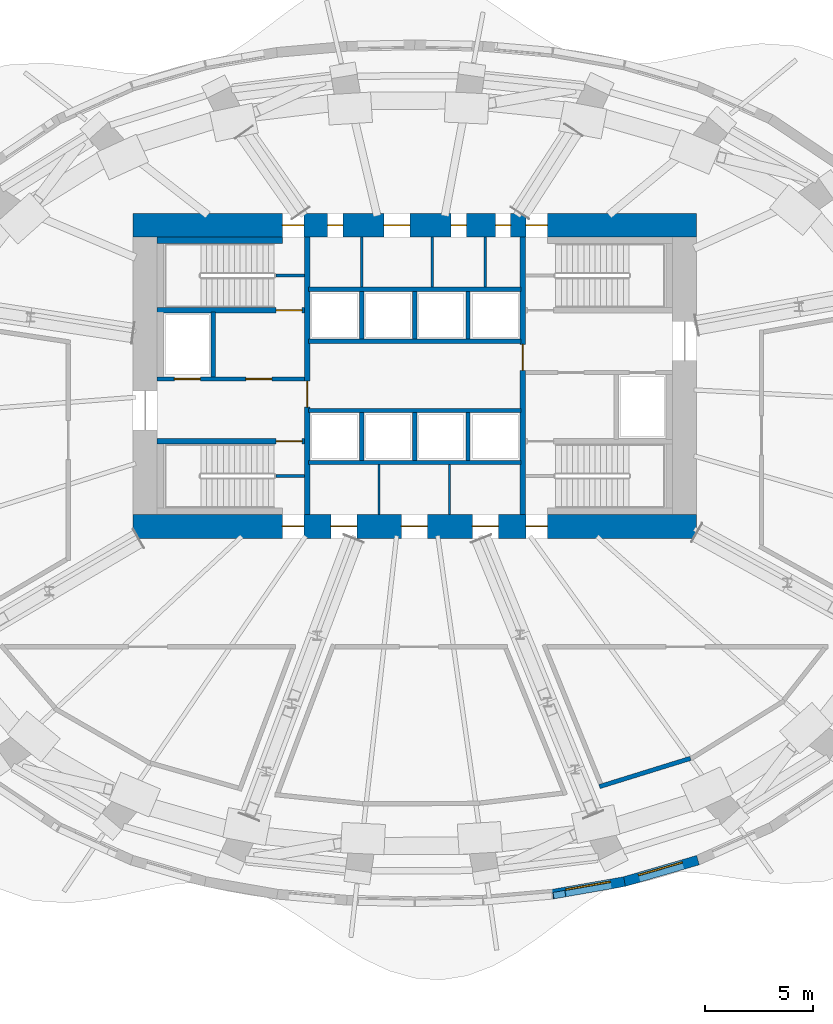
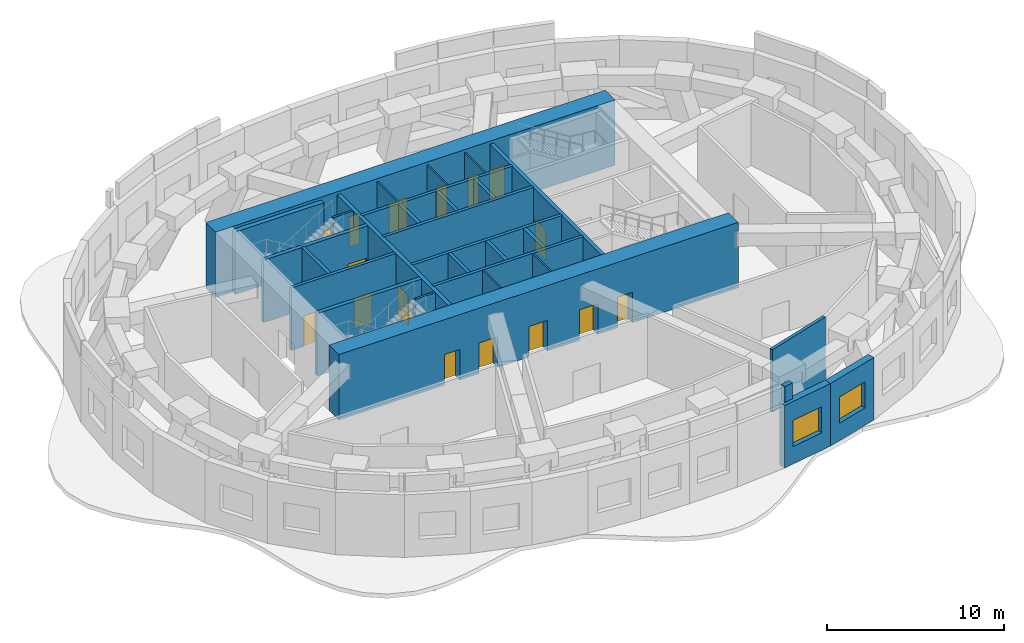
# One storey, part 7 of 11: 30 walls, 17 doors, 2 windows, 19 openings.
"""IFC4 building model written with IfcOpenShell, lengths in metres."""

from ifc_helpers import new_model, si_unit, direction, frame, frame_2d, origin, place, context, subcontext, project, spatial, rectangle, extrude, material, layer, layer_set, type_object, element, fill, save


model = new_model("IFC4")

# Units and contexts
model_context = context("Model", 3, precision=1e-05, world=origin(), true_north=direction((0.0, 1.0)))
body_context = subcontext(model_context, "Body", "Model", "MODEL_VIEW")
ifc_project = project(units=[si_unit("LENGTHUNIT", "METRE"), si_unit("AREAUNIT", "SQUARE_METRE"), si_unit("VOLUMEUNIT", "CUBIC_METRE"), si_unit("PLANEANGLEUNIT", "RADIAN"), si_unit("MASSUNIT", "GRAM", prefix="KILO")], contexts=[model_context])

# Site, building, storey
site_placement = place(None, origin())
site = spatial("IfcSite", under=ifc_project, at=site_placement, CompositionType="ELEMENT")
building_placement = place(site_placement, origin())
building = spatial("IfcBuilding", under=site, at=building_placement, Name="Rubra Terraces Tower", CompositionType="ELEMENT")
storey_placement = place(building_placement, frame((0.0, 0.0, 121.199951171875)))
storey = spatial("IfcBuildingStorey", under=building, at=storey_placement, Name="L29", CompositionType="ELEMENT", Elevation=121.199951171875)

# Wall, opening, window
ifc_material_1 = material(Name="Brick masonry red-brown", Category="masonry")
ifc_layer_1 = layer(ifc_material_1, 0.449951171875)
ifc_layer_set_1 = layer_set([ifc_layer_1], Name="Brick masonry red-brown")
wall_type_1 = type_object("IfcWallType", Name="Brick facade wall 450", PredefinedType="SOLIDWALL", material=ifc_layer_set_1)
wall_1_placement = place(storey_placement, frame((6.34619140625, -19.430419921875, 0.0), z_axis=(0.0, 0.0, 1.0), x_axis=(0.984975558514, 0.172693801654, 0.0)))
wall_1 = element("IfcWall", 1, at=wall_1_placement, inside=storey, type_object=wall_type_1, Name="Facade wall L29 bay 33", PredefinedType="SOLIDWALL", context=body_context, shape_type="SweptSolid", body=[
    extrude(rectangle(XDim=3.381591796875, YDim=0.449951171875, at=frame_2d((1.69091796875, 0.0))), origin(), (0.0, 0.0, 1.0), 4.300048828125),
])
opening_1_placement = place(wall_1_placement, frame((0.640869140625, 0.0, 1.199951171875)))
opening_1 = element("IfcOpeningElement", 2, at=opening_1_placement, cuts=wall_1, Name="Opening W4", PredefinedType="OPENING", context=body_context, shape_type="SweptSolid", body=[
    extrude(rectangle(XDim=2.10009765625, YDim=1.800048828125, at=frame_2d((1.050048828125, 0.89990234375))), frame((0.0, 0.23486328125, 0.0), z_axis=(0.0, -1.0, 0.0), x_axis=(1.0, 0.0, 0.0)), (0.0, 0.0, 1.0), 0.469970703125),
])
ifc_material_2 = material(Name="Clear glass in aluminium frame", Category="aluminium")
window_type = type_object("IfcWindowType", Name="Louvred plant window 2100 x 1800", PartitioningType="SINGLE_PANEL", PredefinedType="WINDOW", material=ifc_material_2)
window_1_placement = place(opening_1_placement, origin())
window_1 = element("IfcWindow", 3, at=window_1_placement, inside=storey, type_object=window_type, Name="Window L29 bay 33", OverallHeight=1.800048828125, OverallWidth=2.10009765625, PartitioningType="SINGLE_PANEL", PredefinedType="WINDOW", context=body_context, shape_type="SweptSolid", body=[
    extrude(rectangle(XDim=2.10009765625, YDim=1.800048828125, at=frame_2d((1.050048828125, 0.89990234375))), frame((0.0, 0.135009765625, 0.0), z_axis=(0.0, -1.0, 0.0), x_axis=(1.0, 0.0, 0.0)), (0.0, 0.0, 1.0), 0.06005859375),
])
fill(opening_1, window_1)

wall_2_placement = place(storey_placement, frame((9.653076171875, -18.85205078125, 0.0), z_axis=(0.0, 0.0, 1.0), x_axis=(0.96014440171, 0.27950443264, 0.0)))
wall_2 = element("IfcWall", 4, at=wall_2_placement, inside=storey, type_object=wall_type_1, Name="Facade wall L29 bay 34", PredefinedType="SOLIDWALL", context=body_context, shape_type="SweptSolid", body=[
    extrude(rectangle(XDim=3.556884765625, YDim=0.449951171875, at=frame_2d((1.7783203125, 0.0))), origin(), (0.0, 0.0, 1.0), 4.300048828125),
])
opening_2_placement = place(wall_2_placement, frame((0.728515625, 0.0, 1.199951171875)))
opening_2 = element("IfcOpeningElement", 5, at=opening_2_placement, cuts=wall_2, Name="Opening W4", PredefinedType="OPENING", context=body_context, shape_type="SweptSolid", body=[
    extrude(rectangle(XDim=2.10009765625, YDim=1.800048828125, at=frame_2d((1.050048828125, 0.89990234375))), frame((0.0, 0.23486328125, 0.0), z_axis=(0.0, -1.0, 0.0), x_axis=(1.0, 0.0, 0.0)), (0.0, 0.0, 1.0), 0.469970703125),
])
window_2_placement = place(opening_2_placement, origin())
window_2 = element("IfcWindow", 6, at=window_2_placement, inside=storey, type_object=window_type, Name="Window L29 bay 34", OverallHeight=1.800048828125, OverallWidth=2.10009765625, PartitioningType="SINGLE_PANEL", PredefinedType="WINDOW", context=body_context, shape_type="SweptSolid", body=[
    extrude(rectangle(XDim=2.10009765625, YDim=1.800048828125, at=frame_2d((1.050048828125, 0.89990234375))), frame((0.0, 0.135009765625, 0.0), z_axis=(0.0, -1.0, 0.0), x_axis=(1.0, 0.0, 0.0)), (0.0, 0.0, 1.0), 0.06005859375),
])
fill(opening_2, window_2)

# Wall
ifc_layer_2 = layer(ifc_material_1, 0.300048828125)
ifc_layer_set_2 = layer_set([ifc_layer_2], Name="Brick masonry red-brown")
wall_type_2 = type_object("IfcWallType", Name="Brick parapet 300", PredefinedType="PARAPET", material=ifc_layer_set_2)
wall_3_placement = place(storey_placement, frame((6.401611328125, -19.496826171875, 4.5), z_axis=(0.0, 0.0, 1.0), x_axis=(0.984943785895, 0.172874921917, 0.0)))
element("IfcWall", 7, at=wall_3_placement, inside=storey, type_object=wall_type_2, Name="Parapet L29 bay 33", PredefinedType="PARAPET", context=body_context, shape_type="SweptSolid", body=[
    extrude(rectangle(XDim=0.55078125, YDim=0.300048828125, at=frame_2d((0.275390625, 0.0))), origin(), (0.0, 0.0, 1.0), 1.10009765625),
])

# Wall, openings, doors
ifc_material_3 = material(Name="Concrete C60", Category="concrete")
ifc_layer_3 = layer(ifc_material_3, 1.10009765625)
ifc_layer_set_3 = layer_set([ifc_layer_3], Name="Concrete C60")
wall_type_3 = type_object("IfcWallType", Name="CORE WALL 1100 C60", PredefinedType="SHEAR", material=ifc_layer_set_3)
wall_4_placement = place(storey_placement, frame((-13.0, 11.449951171875, 0.0), z_axis=(0.0, 0.0, 1.0), x_axis=(1.0, 0.0, 0.0)))
wall_4 = element("IfcWall", 8, at=wall_4_placement, inside=storey, type_object=wall_type_3, Name="CORE WALL N L29", PredefinedType="SHEAR", context=body_context, shape_type="SweptSolid", body=[
    extrude(rectangle(XDim=26.0, YDim=1.10009765625, at=frame_2d((13.0, 0.0))), origin(), (0.0, 0.0, 1.0), 4.5),
])
opening_3_placement = place(wall_4_placement, frame((8.97509765625, 0.0, 0.0)))
opening_3 = element("IfcOpeningElement", 9, at=opening_3_placement, cuts=wall_4, Name="Opening L29.C16", PredefinedType="OPENING", context=body_context, shape_type="SweptSolid", body=[
    extrude(rectangle(XDim=0.699951171875, YDim=2.10009765625, at=frame_2d((0.35009765625, 1.050048828125))), frame((0.0, 0.56005859375, 0.0), z_axis=(0.0, -1.0, 0.0), x_axis=(1.0, 0.0, 0.0)), (0.0, 0.0, 1.0), 1.1201171875),
])
opening_4_placement = place(wall_4_placement, frame((11.574951171875, 0.0, 0.0)))
opening_4 = element("IfcOpeningElement", 10, at=opening_4_placement, cuts=wall_4, Name="Opening L29.C17", PredefinedType="OPENING", context=body_context, shape_type="SweptSolid", body=[
    extrude(rectangle(XDim=1.199951171875, YDim=2.10009765625, at=frame_2d((0.60009765625, 1.050048828125))), frame((0.0, 0.56005859375, 0.0), z_axis=(0.0, -1.0, 0.0), x_axis=(1.0, 0.0, 0.0)), (0.0, 0.0, 1.0), 1.1201171875),
])
opening_5_placement = place(wall_4_placement, frame((14.675048828125, 0.0, 0.0)))
opening_5 = element("IfcOpeningElement", 11, at=opening_5_placement, cuts=wall_4, Name="Opening L29.C18", PredefinedType="OPENING", context=body_context, shape_type="SweptSolid", body=[
    extrude(rectangle(XDim=0.699951171875, YDim=2.10009765625, at=frame_2d((0.35009765625, 1.050048828125))), frame((0.0, 0.56005859375, 0.0), z_axis=(0.0, -1.0, 0.0), x_axis=(1.0, 0.0, 0.0)), (0.0, 0.0, 1.0), 1.1201171875),
])
opening_6_placement = place(wall_4_placement, frame((16.72509765625, 0.0, 0.0)))
opening_6 = element("IfcOpeningElement", 12, at=opening_6_placement, cuts=wall_4, Name="Opening L29.C19", PredefinedType="OPENING", context=body_context, shape_type="SweptSolid", body=[
    extrude(rectangle(XDim=0.699951171875, YDim=2.10009765625, at=frame_2d((0.35009765625, 1.050048828125))), frame((0.0, 0.56005859375, 0.0), z_axis=(0.0, -1.0, 0.0), x_axis=(1.0, 0.0, 0.0)), (0.0, 0.0, 1.0), 1.1201171875),
])
opening_7_placement = place(wall_4_placement, frame((6.8798828125, 0.0, 0.0)))
opening_7 = element("IfcOpeningElement", 13, at=opening_7_placement, cuts=wall_4, Name="Opening L29.C21", PredefinedType="OPENING", context=body_context, shape_type="SweptSolid", body=[
    extrude(rectangle(XDim=1.0, YDim=2.10009765625, at=frame_2d((0.5, 1.050048828125))), frame((0.0, 0.56005859375, 0.0), z_axis=(0.0, -1.0, 0.0), x_axis=(1.0, 0.0, 0.0)), (0.0, 0.0, 1.0), 1.1201171875),
])
opening_8_placement = place(wall_4_placement, frame((18.1201171875, 0.0, 0.0)))
opening_8 = element("IfcOpeningElement", 14, at=opening_8_placement, cuts=wall_4, Name="Opening L29.C22", PredefinedType="OPENING", context=body_context, shape_type="SweptSolid", body=[
    extrude(rectangle(XDim=1.0, YDim=2.10009765625, at=frame_2d((0.5, 1.050048828125))), frame((0.0, 0.56005859375, 0.0), z_axis=(0.0, -1.0, 0.0), x_axis=(1.0, 0.0, 0.0)), (0.0, 0.0, 1.0), 1.1201171875),
])
ifc_material_4 = material(Name="Painted steel", Category="steel")
door_type_1 = type_object("IfcDoorType", Name="Fire door 1000x2100 single", OperationType="NOTDEFINED", PredefinedType="DOOR", material=ifc_material_4)
door_1_placement = place(opening_7_placement, origin())
door_1 = element("IfcDoor", 15, at=door_1_placement, inside=storey, type_object=door_type_1, Name="Stair S2 refuge door", OperationType="SINGLE_SWING_LEFT", OverallHeight=2.10009765625, OverallWidth=1.0, PredefinedType="DOOR", context=body_context, shape_type="SweptSolid", body=[
    extrude(rectangle(XDim=1.0, YDim=2.10009765625, at=frame_2d((0.5, 1.050048828125))), frame((0.0, 0.02490234375, 0.0), z_axis=(0.0, -1.0, 0.0), x_axis=(1.0, 0.0, 0.0)), (0.0, 0.0, 1.0), 0.050048828125),
])
fill(opening_7, door_1)
door_2_placement = place(opening_8_placement, origin())
door_2 = element("IfcDoor", 16, at=door_2_placement, inside=storey, type_object=door_type_1, Name="Stair S3 refuge door", OperationType="SINGLE_SWING_RIGHT", OverallHeight=2.10009765625, OverallWidth=1.0, PredefinedType="DOOR", context=body_context, shape_type="SweptSolid", body=[
    extrude(rectangle(XDim=1.0, YDim=2.10009765625, at=frame_2d((0.5, 1.050048828125))), frame((0.0, 0.02490234375, 0.0), z_axis=(0.0, -1.0, 0.0), x_axis=(1.0, 0.0, 0.0)), (0.0, 0.0, 1.0), 0.050048828125),
])
fill(opening_8, door_2)
door_type_2 = type_object("IfcDoorType", Name="Fire door 1200x2100 single", OperationType="NOTDEFINED", PredefinedType="DOOR", material=ifc_material_4)
door_3_placement = place(opening_4_placement, origin())
door_3 = element("IfcDoor", 17, at=door_3_placement, inside=storey, type_object=door_type_2, Name="Air handling plant room door", OperationType="SINGLE_SWING_LEFT", OverallHeight=2.10009765625, OverallWidth=1.199951171875, PredefinedType="DOOR", context=body_context, shape_type="SweptSolid", body=[
    extrude(rectangle(XDim=1.199951171875, YDim=2.10009765625, at=frame_2d((0.60009765625, 1.050048828125))), frame((0.0, 0.02490234375, 0.0), z_axis=(0.0, -1.0, 0.0), x_axis=(1.0, 0.0, 0.0)), (0.0, 0.0, 1.0), 0.050048828125),
])
fill(opening_4, door_3)
door_type_3 = type_object("IfcDoorType", Name="Riser access door 700x2100 single", OperationType="NOTDEFINED", PredefinedType="DOOR", material=ifc_material_4)
door_4_placement = place(opening_3_placement, origin())
door_4 = element("IfcDoor", 18, at=door_4_placement, inside=storey, type_object=door_type_3, Name="M&E riser room door", OperationType="SINGLE_SWING_RIGHT", OverallHeight=2.10009765625, OverallWidth=0.699951171875, PredefinedType="DOOR", context=body_context, shape_type="SweptSolid", body=[
    extrude(rectangle(XDim=0.699951171875, YDim=2.10009765625, at=frame_2d((0.35009765625, 1.050048828125))), frame((0.0, 0.02490234375, 0.0), z_axis=(0.0, -1.0, 0.0), x_axis=(1.0, 0.0, 0.0)), (0.0, 0.0, 1.0), 0.050048828125),
])
fill(opening_3, door_4)
door_5_placement = place(opening_5_placement, origin())
door_5 = element("IfcDoor", 19, at=door_5_placement, inside=storey, type_object=door_type_3, Name="Telecoms room door", OperationType="SINGLE_SWING_RIGHT", OverallHeight=2.10009765625, OverallWidth=0.699951171875, PredefinedType="DOOR", context=body_context, shape_type="SweptSolid", body=[
    extrude(rectangle(XDim=0.699951171875, YDim=2.10009765625, at=frame_2d((0.35009765625, 1.050048828125))), frame((0.0, 0.02490234375, 0.0), z_axis=(0.0, -1.0, 0.0), x_axis=(1.0, 0.0, 0.0)), (0.0, 0.0, 1.0), 0.050048828125),
])
fill(opening_5, door_5)
door_6_placement = place(opening_6_placement, origin())
door_6 = element("IfcDoor", 20, at=door_6_placement, inside=storey, type_object=door_type_3, Name="Mechanical riser (water and drainage) door", OperationType="SINGLE_SWING_LEFT", OverallHeight=2.10009765625, OverallWidth=0.699951171875, PredefinedType="DOOR", context=body_context, shape_type="SweptSolid", body=[
    extrude(rectangle(XDim=0.699951171875, YDim=2.10009765625, at=frame_2d((0.35009765625, 1.050048828125))), frame((0.0, 0.02490234375, 0.0), z_axis=(0.0, -1.0, 0.0), x_axis=(1.0, 0.0, 0.0)), (0.0, 0.0, 1.0), 0.050048828125),
])
fill(opening_6, door_6)

wall_5_placement = place(storey_placement, frame((-13.0, -2.449951171875, 0.0), z_axis=(0.0, 0.0, 1.0), x_axis=(1.0, 0.0, 0.0)))
wall_5 = element("IfcWall", 21, at=wall_5_placement, inside=storey, type_object=wall_type_3, Name="CORE WALL S L29", PredefinedType="SHEAR", context=body_context, shape_type="SweptSolid", body=[
    extrude(rectangle(XDim=26.0, YDim=1.10009765625, at=frame_2d((13.0, 0.0))), origin(), (0.0, 0.0, 1.0), 4.5),
])
opening_9_placement = place(wall_5_placement, frame((9.125, 0.0, 0.0)))
opening_9 = element("IfcOpeningElement", 22, at=opening_9_placement, cuts=wall_5, Name="Opening L29.C13", PredefinedType="OPENING", context=body_context, shape_type="SweptSolid", body=[
    extrude(rectangle(XDim=1.199951171875, YDim=2.10009765625, at=frame_2d((0.60009765625, 1.050048828125))), frame((0.0, 0.56005859375, 0.0), z_axis=(0.0, -1.0, 0.0), x_axis=(1.0, 0.0, 0.0)), (0.0, 0.0, 1.0), 1.1201171875),
])
opening_10_placement = place(wall_5_placement, frame((12.375, 0.0, 0.0)))
opening_10 = element("IfcOpeningElement", 23, at=opening_10_placement, cuts=wall_5, Name="Opening L29.C14", PredefinedType="OPENING", context=body_context, shape_type="SweptSolid", body=[
    extrude(rectangle(XDim=1.199951171875, YDim=2.10009765625, at=frame_2d((0.60009765625, 1.050048828125))), frame((0.0, 0.56005859375, 0.0), z_axis=(0.0, -1.0, 0.0), x_axis=(1.0, 0.0, 0.0)), (0.0, 0.0, 1.0), 1.1201171875),
])
opening_11_placement = place(wall_5_placement, frame((15.64990234375, 0.0, 0.0)))
opening_11 = element("IfcOpeningElement", 24, at=opening_11_placement, cuts=wall_5, Name="Opening L29.C15", PredefinedType="OPENING", context=body_context, shape_type="SweptSolid", body=[
    extrude(rectangle(XDim=1.199951171875, YDim=2.10009765625, at=frame_2d((0.60009765625, 1.050048828125))), frame((0.0, 0.56005859375, 0.0), z_axis=(0.0, -1.0, 0.0), x_axis=(1.0, 0.0, 0.0)), (0.0, 0.0, 1.0), 1.1201171875),
])
opening_12_placement = place(wall_5_placement, frame((6.8798828125, 0.0, 0.0)))
opening_12 = element("IfcOpeningElement", 25, at=opening_12_placement, cuts=wall_5, Name="Opening L29.C20", PredefinedType="OPENING", context=body_context, shape_type="SweptSolid", body=[
    extrude(rectangle(XDim=1.0, YDim=2.10009765625, at=frame_2d((0.5, 1.050048828125))), frame((0.0, 0.56005859375, 0.0), z_axis=(0.0, -1.0, 0.0), x_axis=(1.0, 0.0, 0.0)), (0.0, 0.0, 1.0), 1.1201171875),
])
opening_13_placement = place(wall_5_placement, frame((18.1201171875, 0.0, 0.0)))
opening_13 = element("IfcOpeningElement", 26, at=opening_13_placement, cuts=wall_5, Name="Opening L29.C23", PredefinedType="OPENING", context=body_context, shape_type="SweptSolid", body=[
    extrude(rectangle(XDim=1.0, YDim=2.10009765625, at=frame_2d((0.5, 1.050048828125))), frame((0.0, 0.56005859375, 0.0), z_axis=(0.0, -1.0, 0.0), x_axis=(1.0, 0.0, 0.0)), (0.0, 0.0, 1.0), 1.1201171875),
])
door_7_placement = place(opening_12_placement, origin())
door_7 = element("IfcDoor", 27, at=door_7_placement, inside=storey, type_object=door_type_1, Name="Stair S1 refuge door", OperationType="SINGLE_SWING_RIGHT", OverallHeight=2.10009765625, OverallWidth=1.0, PredefinedType="DOOR", context=body_context, shape_type="SweptSolid", body=[
    extrude(rectangle(XDim=1.0, YDim=2.10009765625, at=frame_2d((0.5, 1.050048828125))), frame((0.0, 0.02490234375, 0.0), z_axis=(0.0, -1.0, 0.0), x_axis=(1.0, 0.0, 0.0)), (0.0, 0.0, 1.0), 0.050048828125),
])
fill(opening_12, door_7)
door_8_placement = place(opening_13_placement, origin())
door_8 = element("IfcDoor", 28, at=door_8_placement, inside=storey, type_object=door_type_1, Name="Stair S4 refuge door", OperationType="SINGLE_SWING_LEFT", OverallHeight=2.10009765625, OverallWidth=1.0, PredefinedType="DOOR", context=body_context, shape_type="SweptSolid", body=[
    extrude(rectangle(XDim=1.0, YDim=2.10009765625, at=frame_2d((0.5, 1.050048828125))), frame((0.0, 0.02490234375, 0.0), z_axis=(0.0, -1.0, 0.0), x_axis=(1.0, 0.0, 0.0)), (0.0, 0.0, 1.0), 0.050048828125),
])
fill(opening_13, door_8)
door_9_placement = place(opening_9_placement, origin())
door_9 = element("IfcDoor", 29, at=door_9_placement, inside=storey, type_object=door_type_2, Name="Air handling plant room door", OperationType="SINGLE_SWING_LEFT", OverallHeight=2.10009765625, OverallWidth=1.199951171875, PredefinedType="DOOR", context=body_context, shape_type="SweptSolid", body=[
    extrude(rectangle(XDim=1.199951171875, YDim=2.10009765625, at=frame_2d((0.60009765625, 1.050048828125))), frame((0.0, 0.02490234375, 0.0), z_axis=(0.0, -1.0, 0.0), x_axis=(1.0, 0.0, 0.0)), (0.0, 0.0, 1.0), 0.050048828125),
])
fill(opening_9, door_9)
door_10_placement = place(opening_10_placement, origin())
door_10 = element("IfcDoor", 30, at=door_10_placement, inside=storey, type_object=door_type_2, Name="Air handling plant room door", OperationType="SINGLE_SWING_RIGHT", OverallHeight=2.10009765625, OverallWidth=1.199951171875, PredefinedType="DOOR", context=body_context, shape_type="SweptSolid", body=[
    extrude(rectangle(XDim=1.199951171875, YDim=2.10009765625, at=frame_2d((0.60009765625, 1.050048828125))), frame((0.0, 0.02490234375, 0.0), z_axis=(0.0, -1.0, 0.0), x_axis=(1.0, 0.0, 0.0)), (0.0, 0.0, 1.0), 0.050048828125),
])
fill(opening_10, door_10)
door_11_placement = place(opening_11_placement, origin())
door_11 = element("IfcDoor", 31, at=door_11_placement, inside=storey, type_object=door_type_2, Name="Mechanical pump room door", OperationType="SINGLE_SWING_LEFT", OverallHeight=2.10009765625, OverallWidth=1.199951171875, PredefinedType="DOOR", context=body_context, shape_type="SweptSolid", body=[
    extrude(rectangle(XDim=1.199951171875, YDim=2.10009765625, at=frame_2d((0.60009765625, 1.050048828125))), frame((0.0, 0.02490234375, 0.0), z_axis=(0.0, -1.0, 0.0), x_axis=(1.0, 0.0, 0.0)), (0.0, 0.0, 1.0), 0.050048828125),
])
fill(opening_11, door_11)

# Wall
ifc_material_5 = material(Name="Concrete C40", Category="concrete")
ifc_layer_4 = layer(ifc_material_5, 0.300048828125)
ifc_layer_set_4 = layer_set([ifc_layer_4], Name="Concrete C40")
wall_type_4 = type_object("IfcWallType", Name="Core lining wall 300 concrete", PredefinedType="SOLIDWALL", material=ifc_layer_set_4)
wall_6_placement = place(storey_placement, frame((-11.89990234375, 10.75, 0.0), z_axis=(0.0, 0.0, 1.0), x_axis=(1.0, 0.0, 0.0)))
element("IfcWall", 32, at=wall_6_placement, inside=storey, type_object=wall_type_4, Name="CORE LINING WALL L29", PredefinedType="SOLIDWALL", context=body_context, shape_type="SweptSolid", body=[
    extrude(rectangle(XDim=5.77978515625, YDim=0.300048828125, at=frame_2d((2.889892578125, 0.0))), origin(), (0.0, 0.0, 1.0), 4.300048828125),
])

# Wall, openings, doors
ifc_material_6 = material(Name="Concrete C30", Category="concrete")
ifc_layer_5 = layer(ifc_material_6, 0.199951171875)
ifc_layer_set_5 = layer_set([ifc_layer_5], Name="Concrete C30")
wall_type_5 = type_object("IfcWallType", Name="Core wall 200 concrete", PredefinedType="SOLIDWALL", material=ifc_layer_set_5)
wall_7_placement = place(storey_placement, frame((-11.89990234375, 4.35009765625, 0.0), z_axis=(0.0, 0.0, 1.0), x_axis=(1.0, 0.0, 0.0)))
wall_7 = element("IfcWall", 33, at=wall_7_placement, inside=storey, type_object=wall_type_5, Name="STAIR WALL L29", PredefinedType="SOLIDWALL", context=body_context, shape_type="SweptSolid", body=[
    extrude(rectangle(XDim=6.7998046875, YDim=0.199951171875, at=frame_2d((3.39990234375, 0.0))), origin(), (0.0, 0.0, 1.0), 4.300048828125),
])
opening_14_placement = place(wall_7_placement, frame((4.10009765625, 0.0, 0.0)))
opening_14 = element("IfcOpeningElement", 34, at=opening_14_placement, cuts=wall_7, Name="Opening L29.C05", PredefinedType="OPENING", context=body_context, shape_type="SweptSolid", body=[
    extrude(rectangle(XDim=1.199951171875, YDim=2.10009765625, at=frame_2d((0.60009765625, 1.050048828125))), frame((0.0, 0.10986328125, 0.0), z_axis=(0.0, -1.0, 0.0), x_axis=(1.0, 0.0, 0.0)), (0.0, 0.0, 1.0), 0.219970703125),
])
opening_15_placement = place(wall_7_placement, frame((0.800048828125, 0.0, 0.0)))
opening_15 = element("IfcOpeningElement", 35, at=opening_15_placement, cuts=wall_7, Name="Opening L29.C11", PredefinedType="OPENING", context=body_context, shape_type="SweptSolid", body=[
    extrude(rectangle(XDim=1.199951171875, YDim=2.10009765625, at=frame_2d((0.60009765625, 1.050048828125))), frame((0.0, 0.10986328125, 0.0), z_axis=(0.0, -1.0, 0.0), x_axis=(1.0, 0.0, 0.0)), (0.0, 0.0, 1.0), 0.219970703125),
])
door_12_placement = place(opening_14_placement, origin())
door_12 = element("IfcDoor", 36, at=door_12_placement, inside=storey, type_object=door_type_2, Name="Stair vestibule door S2", OperationType="SINGLE_SWING_LEFT", OverallHeight=2.10009765625, OverallWidth=1.199951171875, PredefinedType="DOOR", context=body_context, shape_type="SweptSolid", body=[
    extrude(rectangle(XDim=1.199951171875, YDim=2.10009765625, at=frame_2d((0.60009765625, 1.050048828125))), frame((0.0, 0.02490234375, 0.0), z_axis=(0.0, -1.0, 0.0), x_axis=(1.0, 0.0, 0.0)), (0.0, 0.0, 1.0), 0.050048828125),
])
fill(opening_14, door_12)
ifc_material_7 = material(Name="Stainless steel", Category="steel")
door_type_4 = type_object("IfcDoorType", Name="Lift landing door 1200x2100", OperationType="NOTDEFINED", PredefinedType="DOOR", material=ifc_material_7)
door_13_placement = place(opening_15_placement, origin())
door_13 = element("IfcDoor", 37, at=door_13_placement, inside=storey, type_object=door_type_4, Name="Landing door FF1", OperationType="SLIDING_TO_RIGHT", OverallHeight=2.10009765625, OverallWidth=1.199951171875, PredefinedType="DOOR", context=body_context, shape_type="SweptSolid", body=[
    extrude(rectangle(XDim=1.199951171875, YDim=2.10009765625, at=frame_2d((0.60009765625, 1.050048828125))), frame((0.0, 0.02490234375, 0.0), z_axis=(0.0, -1.0, 0.0), x_axis=(1.0, 0.0, 0.0)), (0.0, 0.0, 1.0), 0.050048828125),
])
fill(opening_15, door_13)

# Walls
wall_8_placement = place(storey_placement, frame((-9.300048828125, 4.449951171875, 0.0), z_axis=(0.0, 0.0, 1.0), x_axis=(0.0, 1.0, 0.0)))
element("IfcWall", 38, at=wall_8_placement, inside=storey, type_object=wall_type_5, Name="STAIR WALL L29", PredefinedType="SOLIDWALL", context=body_context, shape_type="SweptSolid", body=[
    extrude(rectangle(XDim=3.0, YDim=0.199951171875, at=frame_2d((1.5, 0.0))), origin(), (0.0, 0.0, 1.0), 4.300048828125),
])
for number, where, z_axis, x_axis, name in (
    (39, (-4.89990234375, 0.5, 0.0), (0.0, 0.0, 1.0), (1.0, 0.0, 0.0), "LIFT SHAFT WALL L29"),
    (40, (-4.89990234375, 2.89990234375, 0.0), (0.0, 0.0, 1.0), (1.0, 0.0, 0.0), "LIFT SHAFT WALL L29"),
    (41, (-4.89990234375, 6.10009765625, 0.0), (0.0, 0.0, 1.0), (1.0, 0.0, 0.0), "LIFT SHAFT WALL L29"),
    (42, (-4.89990234375, 8.5, 0.0), (0.0, 0.0, 1.0), (1.0, 0.0, 0.0), "LIFT SHAFT WALL L29"),
):
    element("IfcWall", number, at=place(storey_placement, frame(where, z_axis=z_axis, x_axis=x_axis)), inside=storey, type_object=wall_type_5, Name=name, PredefinedType="SOLIDWALL", context=body_context, shape_type="SweptSolid", body=[
        extrude(rectangle(XDim=9.7998046875, YDim=0.199951171875, at=frame_2d((4.89990234375, 0.0))), origin(), (0.0, 0.0, 1.0), 4.300048828125),
    ])
for number, where, z_axis, x_axis, name in (
    (43, (-2.449951171875, 0.60009765625, 0.0), (0.0, 0.0, 1.0), (0.0, 1.0, 0.0), "LIFT SHAFT WALL L29"),
    (44, (0.0, 0.60009765625, 0.0), (0.0, 0.0, 1.0), (0.0, 1.0, 0.0), "LIFT SHAFT WALL L29"),
    (45, (2.449951171875, 0.60009765625, 0.0), (0.0, 0.0, 1.0), (0.0, 1.0, 0.0), "LIFT SHAFT WALL L29"),
    (46, (-2.449951171875, 6.199951171875, 0.0), (0.0, 0.0, 1.0), (0.0, 1.0, 0.0), "LIFT SHAFT WALL L29"),
    (47, (0.0, 6.199951171875, 0.0), (0.0, 0.0, 1.0), (0.0, 1.0, 0.0), "LIFT SHAFT WALL L29"),
    (48, (2.449951171875, 6.199951171875, 0.0), (0.0, 0.0, 1.0), (0.0, 1.0, 0.0), "LIFT SHAFT WALL L29"),
):
    element("IfcWall", number, at=place(storey_placement, frame(where, z_axis=z_axis, x_axis=x_axis)), inside=storey, type_object=wall_type_5, Name=name, PredefinedType="SOLIDWALL", context=body_context, shape_type="SweptSolid", body=[
        extrude(rectangle(XDim=2.199951171875, YDim=0.199951171875, at=frame_2d((1.10009765625, 0.0))), origin(), (0.0, 0.0, 1.0), 4.300048828125),
    ])
ifc_material_8 = material(Name="Blockwork", Category="masonry")
ifc_layer_6 = layer(ifc_material_8, 0.199951171875)
ifc_layer_set_6 = layer_set([ifc_layer_6], Name="Blockwork")
wall_type_6 = type_object("IfcWallType", Name="Corridor partition 200 blockwork", PredefinedType="PARTITIONING", material=ifc_layer_set_6)
wall_9_placement = place(storey_placement, frame((12.720947265625, -13.158935546875, 0.0), z_axis=(0.0, 0.0, 1.0), x_axis=(-0.955050049142, -0.296444604665, 0.0)))
element("IfcWall", 49, at=wall_9_placement, inside=storey, type_object=wall_type_6, Name="Partition wall", PredefinedType="PARTITIONING", context=body_context, shape_type="SweptSolid", body=[
    extrude(rectangle(XDim=4.398681640625, YDim=0.199951171875, at=frame_2d((2.19921875, 0.0))), origin(), (0.0, 0.0, 1.0), 4.300048828125),
])
ifc_layer_7 = layer(ifc_material_8, 0.10009765625)
ifc_layer_set_7 = layer_set([ifc_layer_7], Name="Blockwork")
wall_type_7 = type_object("IfcWallType", Name="Service partition 100 blockwork", PredefinedType="PARTITIONING", material=ifc_layer_set_7)
for number, where, z_axis, x_axis, name in (
    (50, (-1.64990234375, -1.89990234375, 0.0), (0.0, 0.0, 1.0), (0.0, 1.0, 0.0), "SERVICE ROOM PARTITION L29"),
    (51, (1.60009765625, -1.89990234375, 0.0), (0.0, 0.0, 1.0), (0.0, 1.0, 0.0), "SERVICE ROOM PARTITION L29"),
    (52, (-2.449951171875, 8.60009765625, 0.0), (0.0, 0.0, 1.0), (0.0, 1.0, 0.0), "SERVICE ROOM PARTITION L29"),
    (53, (0.800048828125, 8.60009765625, 0.0), (0.0, 0.0, 1.0), (0.0, 1.0, 0.0), "SERVICE ROOM PARTITION L29"),
    (54, (3.25, 8.60009765625, 0.0), (0.0, 0.0, 1.0), (0.0, 1.0, 0.0), "SERVICE ROOM PARTITION L29"),
):
    element("IfcWall", number, at=place(storey_placement, frame(where, z_axis=z_axis, x_axis=x_axis)), inside=storey, type_object=wall_type_7, Name=name, PredefinedType="PARTITIONING", context=body_context, shape_type="SweptSolid", body=[
        extrude(rectangle(XDim=2.2998046875, YDim=0.10009765625, at=frame_2d((1.14990234375, 0.0))), origin(), (0.0, 0.0, 1.0), 4.300048828125),
    ])

# Wall, opening, door
ifc_layer_8 = layer(ifc_material_5, 0.25)
ifc_layer_set_8 = layer_set([ifc_layer_8], Name="Concrete C40")
wall_type_8 = type_object("IfcWallType", Name="Stair enclosure wall 250 concrete", PredefinedType="SOLIDWALL", material=ifc_layer_set_8)
wall_10_placement = place(storey_placement, frame((-11.89990234375, 1.47509765625, 0.0), z_axis=(0.0, 0.0, 1.0), x_axis=(1.0, 0.0, 0.0)))
wall_10 = element("IfcWall", 55, at=wall_10_placement, inside=storey, type_object=wall_type_8, Name="STAIR WALL L29", PredefinedType="SOLIDWALL", context=body_context, shape_type="SweptSolid", body=[
    extrude(rectangle(XDim=6.7998046875, YDim=0.25, at=frame_2d((3.39990234375, 0.0))), origin(), (0.0, 0.0, 1.0), 4.300048828125),
])
opening_16_placement = place(wall_10_placement, frame((5.5, 0.0, 0.0)))
opening_16 = element("IfcOpeningElement", 56, at=opening_16_placement, cuts=wall_10, Name="Opening L29.C07", PredefinedType="OPENING", context=body_context, shape_type="SweptSolid", body=[
    extrude(rectangle(XDim=1.199951171875, YDim=2.10009765625, at=frame_2d((0.60009765625, 1.050048828125))), frame((0.0, 0.135009765625, 0.0), z_axis=(0.0, -1.0, 0.0), x_axis=(1.0, 0.0, 0.0)), (0.0, 0.0, 1.0), 0.27001953125),
])
door_14_placement = place(opening_16_placement, origin())
door_14 = element("IfcDoor", 57, at=door_14_placement, inside=storey, type_object=door_type_2, Name="Stair door S1", OperationType="SINGLE_SWING_LEFT", OverallHeight=2.10009765625, OverallWidth=1.199951171875, PredefinedType="DOOR", context=body_context, shape_type="SweptSolid", body=[
    extrude(rectangle(XDim=1.199951171875, YDim=2.10009765625, at=frame_2d((0.60009765625, 1.050048828125))), frame((0.0, 0.02490234375, 0.0), z_axis=(0.0, -1.0, 0.0), x_axis=(1.0, 0.0, 0.0)), (0.0, 0.0, 1.0), 0.050048828125),
])
fill(opening_16, door_14)

wall_11_placement = place(storey_placement, frame((-11.89990234375, 7.52490234375, 0.0), z_axis=(0.0, 0.0, 1.0), x_axis=(1.0, 0.0, 0.0)))
wall_11 = element("IfcWall", 58, at=wall_11_placement, inside=storey, type_object=wall_type_8, Name="STAIR WALL L29", PredefinedType="SOLIDWALL", context=body_context, shape_type="SweptSolid", body=[
    extrude(rectangle(XDim=6.7998046875, YDim=0.25, at=frame_2d((3.39990234375, 0.0))), origin(), (0.0, 0.0, 1.0), 4.300048828125),
])
opening_17_placement = place(wall_11_placement, frame((5.5, 0.0, 0.0)))
opening_17 = element("IfcOpeningElement", 59, at=opening_17_placement, cuts=wall_11, Name="Opening L29.C09", PredefinedType="OPENING", context=body_context, shape_type="SweptSolid", body=[
    extrude(rectangle(XDim=1.199951171875, YDim=2.10009765625, at=frame_2d((0.60009765625, 1.050048828125))), frame((0.0, 0.135009765625, 0.0), z_axis=(0.0, -1.0, 0.0), x_axis=(1.0, 0.0, 0.0)), (0.0, 0.0, 1.0), 0.27001953125),
])
door_15_placement = place(opening_17_placement, origin())
door_15 = element("IfcDoor", 60, at=door_15_placement, inside=storey, type_object=door_type_2, Name="Stair door S2", OperationType="SINGLE_SWING_LEFT", OverallHeight=2.10009765625, OverallWidth=1.199951171875, PredefinedType="DOOR", context=body_context, shape_type="SweptSolid", body=[
    extrude(rectangle(XDim=1.199951171875, YDim=2.10009765625, at=frame_2d((0.60009765625, 1.050048828125))), frame((0.0, 0.02490234375, 0.0), z_axis=(0.0, -1.0, 0.0), x_axis=(1.0, 0.0, 0.0)), (0.0, 0.0, 1.0), 0.050048828125),
])
fill(opening_17, door_15)

wall_12_placement = place(storey_placement, frame((-4.97509765625, -1.89990234375, 0.0), z_axis=(0.0, 0.0, 1.0), x_axis=(0.0, 1.0, 0.0)))
wall_12 = element("IfcWall", 61, at=wall_12_placement, inside=storey, type_object=wall_type_8, Name="CORE LOBBY WALL L29", PredefinedType="SOLIDWALL", context=body_context, shape_type="SweptSolid", body=[
    extrude(rectangle(XDim=12.7998046875, YDim=0.25, at=frame_2d((6.39990234375, 0.0))), origin(), (0.0, 0.0, 1.0), 4.300048828125),
])
opening_18_placement = place(wall_12_placement, frame((4.949951171875, 0.0, 0.0)))
opening_18 = element("IfcOpeningElement", 62, at=opening_18_placement, cuts=wall_12, Name="Opening L29.C03", PredefinedType="OPENING", context=body_context, shape_type="SweptSolid", body=[
    extrude(rectangle(XDim=1.199951171875, YDim=2.10009765625, at=frame_2d((0.60009765625, 1.050048828125))), frame((0.0, 0.135009765625, 0.0), z_axis=(0.0, -1.0, 0.0), x_axis=(1.0, 0.0, 0.0)), (0.0, 0.0, 1.0), 0.27001953125),
])
door_16_placement = place(opening_18_placement, origin())
door_16 = element("IfcDoor", 63, at=door_16_placement, inside=storey, type_object=door_type_2, Name="Firefighting lobby door FF1", OperationType="SINGLE_SWING_LEFT", OverallHeight=2.10009765625, OverallWidth=1.199951171875, PredefinedType="DOOR", context=body_context, shape_type="SweptSolid", body=[
    extrude(rectangle(XDim=1.199951171875, YDim=2.10009765625, at=frame_2d((0.60009765625, 1.050048828125))), frame((0.0, 0.02490234375, 0.0), z_axis=(0.0, -1.0, 0.0), x_axis=(1.0, 0.0, 0.0)), (0.0, 0.0, 1.0), 0.050048828125),
])
fill(opening_18, door_16)

wall_13_placement = place(storey_placement, frame((4.97509765625, 10.89990234375, 0.0), z_axis=(0.0, 0.0, 1.0), x_axis=(0.0, -1.0, 0.0)))
wall_13 = element("IfcWall", 64, at=wall_13_placement, inside=storey, type_object=wall_type_8, Name="CORE LOBBY WALL L29", PredefinedType="SOLIDWALL", context=body_context, shape_type="SweptSolid", body=[
    extrude(rectangle(XDim=12.7998046875, YDim=0.25, at=frame_2d((6.39990234375, 0.0))), origin(), (0.0, 0.0, 1.0), 4.300048828125),
])
opening_19_placement = place(wall_13_placement, frame((4.949951171875, 0.0, 0.0)))
opening_19 = element("IfcOpeningElement", 65, at=opening_19_placement, cuts=wall_13, Name="Opening L29.C04", PredefinedType="OPENING", context=body_context, shape_type="SweptSolid", body=[
    extrude(rectangle(XDim=1.199951171875, YDim=2.10009765625, at=frame_2d((0.60009765625, 1.050048828125))), frame((0.0, 0.135009765625, 0.0), z_axis=(0.0, -1.0, 0.0), x_axis=(1.0, 0.0, 0.0)), (0.0, 0.0, 1.0), 0.27001953125),
])
door_17_placement = place(opening_19_placement, origin())
door_17 = element("IfcDoor", 66, at=door_17_placement, inside=storey, type_object=door_type_2, Name="Firefighting lobby door FF2", OperationType="SINGLE_SWING_RIGHT", OverallHeight=2.10009765625, OverallWidth=1.199951171875, PredefinedType="DOOR", context=body_context, shape_type="SweptSolid", body=[
    extrude(rectangle(XDim=1.199951171875, YDim=2.10009765625, at=frame_2d((0.60009765625, 1.050048828125))), frame((0.0, 0.02490234375, 0.0), z_axis=(0.0, -1.0, 0.0), x_axis=(1.0, 0.0, 0.0)), (0.0, 0.0, 1.0), 0.050048828125),
])
fill(opening_19, door_17)

# Walls
ifc_layer_9 = layer(ifc_material_5, 0.14990234375)
ifc_layer_set_9 = layer_set([ifc_layer_9], Name="Concrete C40")
wall_type_9 = type_object("IfcWallType", Name="Stair separation wall 150 concrete", PredefinedType="SOLIDWALL", material=ifc_layer_set_9)
for number, where, z_axis, x_axis, name in (
    (67, (-6.39990234375, -0.125, 0.0), (0.0, 0.0, 1.0), (1.0, 0.0, 0.0), "STAIR SEPARATION WALL L29"),
    (68, (-6.39990234375, 9.125, 0.0), (0.0, 0.0, 1.0), (1.0, 0.0, 0.0), "STAIR SEPARATION WALL L29"),
):
    element("IfcWall", number, at=place(storey_placement, frame(where, z_axis=z_axis, x_axis=x_axis)), inside=storey, type_object=wall_type_9, Name=name, PredefinedType="SOLIDWALL", context=body_context, shape_type="SweptSolid", body=[
        extrude(rectangle(XDim=1.2998046875, YDim=0.14990234375, at=frame_2d((0.64990234375, 0.0))), origin(), (0.0, 0.0, 1.0), 4.300048828125),
    ])

save(model, "model.ifc")
